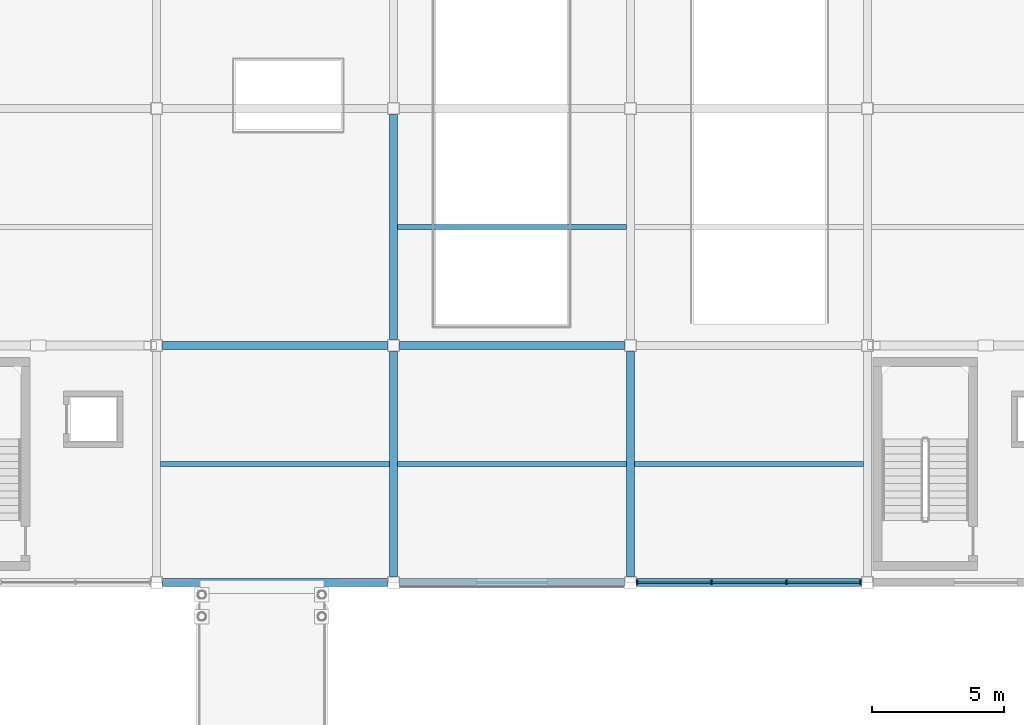
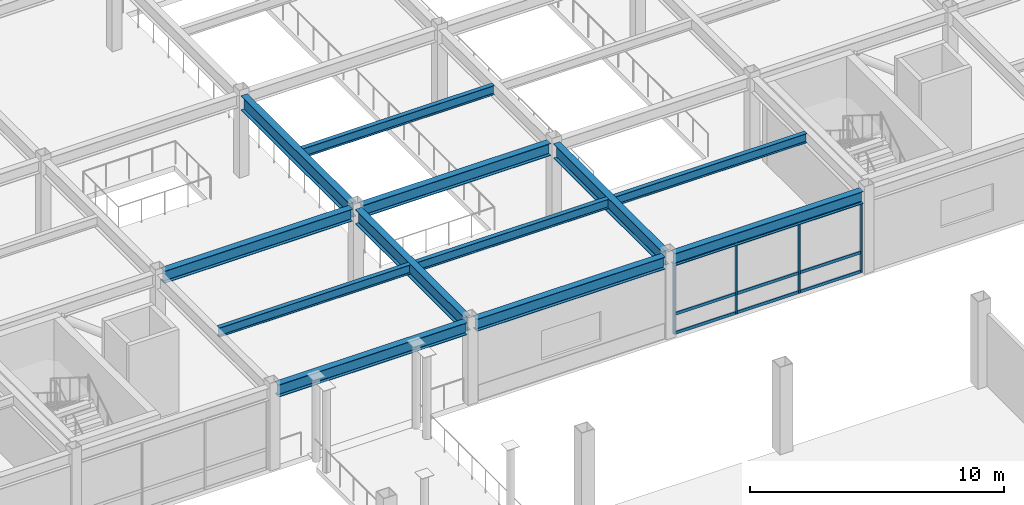
# One storey, part 40 of 105: 13 members, 12 beams, 1 element without a shape of its own.
"""IFC4 building model written with IfcOpenShell, lengths in metres."""

from ifc_helpers import new_model, si_unit, direction, frame, origin, origin_2d, place, context, subcontext, project, spatial, rectangle, i_section, extrude, material, material_profile, profile_set, type_object, element, aggregate, save


model = new_model("IFC4")

# Units and contexts
model_context = context("Model", 3, precision=1e-05, world=origin(), true_north=direction((0.0, 1.0)))
body_context = subcontext(model_context, "Body", "Model", "MODEL_VIEW")
ifc_project = project(units=[si_unit("LENGTHUNIT", "METRE"), si_unit("AREAUNIT", "SQUARE_METRE"), si_unit("VOLUMEUNIT", "CUBIC_METRE"), si_unit("PLANEANGLEUNIT", "RADIAN"), si_unit("MASSUNIT", "GRAM", prefix="KILO")], contexts=[model_context])

# Site, building, storey
site_placement = place(None, origin())
site = spatial("IfcSite", under=ifc_project, at=site_placement, CompositionType="ELEMENT")
building_placement = place(site_placement, origin())
building = spatial("IfcBuilding", under=site, at=building_placement, Name="Suzunagisa Mobility Hub", CompositionType="ELEMENT")
storey_placement = place(building_placement, frame((0.0, 0.0, 5.10009765625)))
storey = spatial("IfcBuildingStorey", under=building, at=storey_placement, Name="L01", CompositionType="ELEMENT", Elevation=5.10009765625)

# Curtain wall, members
ifc_material_1 = material(Name="Thermally Broken Anodized Aluminum and Low-E Glazing", Category="aluminium")
curtain_wall_type = type_object("IfcCurtainWallType", Name="Unitised Curtain Wall CW-29 8500x3400", PredefinedType="USERDEFINED", material=ifc_material_1)
curtain_wall_placement = place(storey_placement, origin())
curtain_wall = element("IfcCurtainWall", 1, at=curtain_wall_placement, inside=storey, type_object=curtain_wall_type, Name="L01 Unitised Curtain Wall CW-101", ObjectType="UNITISED CURTAIN WALL", PredefinedType="USERDEFINED")
ifc_material_2 = material(Name="Anodized Aluminum 6063-T6", Category="aluminium")
ifc_material_profile_1 = material_profile(ifc_material_2, rectangle(XDim=0.06494140625, YDim=0.139892578125, at=origin_2d()), Name="TRAN-65x140")
ifc_profile_set_1 = profile_set([ifc_material_profile_1], Name="Anodized Aluminum 6063-T6")
member_type_1 = type_object("IfcMemberType", Name="Curtain Wall Framing CM-01 TRAN-65x140", PredefinedType="USERDEFINED", material=ifc_profile_set_1)
member_1_placement = place(storey_placement, frame((81.282958984375, 80.0, 0.032470703125), z_axis=(1.0, 0.0, 0.0), x_axis=(0.0, 1.0, 0.0)))
member_1 = element("IfcMember", 2, at=member_1_placement, type_object=member_type_1, Name="Curtain Wall Transom 101-T1.1", ObjectType="TRANSOM", PredefinedType="USERDEFINED", context=body_context, shape_type="SweptSolid", body=[
    extrude(rectangle(XDim=0.06494140625, YDim=0.139892578125, at=origin_2d()), origin(), (0.0, 0.0, 1.0), 2.76416015625),
])
member_2_placement = place(storey_placement, frame((81.282958984375, 80.0, 0.949951171875), z_axis=(1.0, 0.0, 0.0), x_axis=(0.0, 1.0, 0.0)))
member_2 = element("IfcMember", 3, at=member_2_placement, type_object=member_type_1, Name="Curtain Wall Transom 101-T1.2", ObjectType="TRANSOM", PredefinedType="USERDEFINED", context=body_context, shape_type="SweptSolid", body=[
    extrude(rectangle(XDim=0.06494140625, YDim=0.139892578125, at=origin_2d()), origin(), (0.0, 0.0, 1.0), 2.76416015625),
])
member_3_placement = place(storey_placement, frame((81.282958984375, 80.0, 3.3193359375), z_axis=(1.0, 0.0, 0.0), x_axis=(0.0, 1.0, 0.0)))
member_3 = element("IfcMember", 4, at=member_3_placement, type_object=member_type_1, Name="Curtain Wall Transom 101-T1.3", ObjectType="TRANSOM", PredefinedType="USERDEFINED", context=body_context, shape_type="SweptSolid", body=[
    extrude(rectangle(XDim=0.06494140625, YDim=0.139892578125, at=origin_2d()), origin(), (0.0, 0.0, 1.0), 2.76416015625),
])
member_4_placement = place(storey_placement, frame((84.10302734375, 80.0, 0.032470703125), z_axis=(1.0, 0.0, 0.0), x_axis=(0.0, 1.0, 0.0)))
member_4 = element("IfcMember", 5, at=member_4_placement, type_object=member_type_1, Name="Curtain Wall Transom 101-T2.1", ObjectType="TRANSOM", PredefinedType="USERDEFINED", context=body_context, shape_type="SweptSolid", body=[
    extrude(rectangle(XDim=0.06494140625, YDim=0.139892578125, at=origin_2d()), origin(), (0.0, 0.0, 1.0), 2.7939453125),
])
member_5_placement = place(storey_placement, frame((84.10302734375, 80.0, 0.949951171875), z_axis=(1.0, 0.0, 0.0), x_axis=(0.0, 1.0, 0.0)))
member_5 = element("IfcMember", 6, at=member_5_placement, type_object=member_type_1, Name="Curtain Wall Transom 101-T2.2", ObjectType="TRANSOM", PredefinedType="USERDEFINED", context=body_context, shape_type="SweptSolid", body=[
    extrude(rectangle(XDim=0.06494140625, YDim=0.139892578125, at=origin_2d()), origin(), (0.0, 0.0, 1.0), 2.7939453125),
])
member_6_placement = place(storey_placement, frame((84.10302734375, 80.0, 3.3193359375), z_axis=(1.0, 0.0, 0.0), x_axis=(0.0, 1.0, 0.0)))
member_6 = element("IfcMember", 7, at=member_6_placement, type_object=member_type_1, Name="Curtain Wall Transom 101-T2.3", ObjectType="TRANSOM", PredefinedType="USERDEFINED", context=body_context, shape_type="SweptSolid", body=[
    extrude(rectangle(XDim=0.06494140625, YDim=0.139892578125, at=origin_2d()), origin(), (0.0, 0.0, 1.0), 2.7939453125),
])
member_7_placement = place(storey_placement, frame((86.952880859375, 80.0, 0.032470703125), z_axis=(1.0, 0.0, 0.0), x_axis=(0.0, 1.0, 0.0)))
member_7 = element("IfcMember", 8, at=member_7_placement, type_object=member_type_1, Name="Curtain Wall Transom 101-T3.1", ObjectType="TRANSOM", PredefinedType="USERDEFINED", context=body_context, shape_type="SweptSolid", body=[
    extrude(rectangle(XDim=0.06494140625, YDim=0.139892578125, at=origin_2d()), origin(), (0.0, 0.0, 1.0), 2.76416015625),
])
member_8_placement = place(storey_placement, frame((86.952880859375, 80.0, 0.949951171875), z_axis=(1.0, 0.0, 0.0), x_axis=(0.0, 1.0, 0.0)))
member_8 = element("IfcMember", 9, at=member_8_placement, type_object=member_type_1, Name="Curtain Wall Transom 101-T3.2", ObjectType="TRANSOM", PredefinedType="USERDEFINED", context=body_context, shape_type="SweptSolid", body=[
    extrude(rectangle(XDim=0.06494140625, YDim=0.139892578125, at=origin_2d()), origin(), (0.0, 0.0, 1.0), 2.76416015625),
])
member_9_placement = place(storey_placement, frame((86.952880859375, 80.0, 3.3193359375), z_axis=(1.0, 0.0, 0.0), x_axis=(0.0, 1.0, 0.0)))
member_9 = element("IfcMember", 10, at=member_9_placement, type_object=member_type_1, Name="Curtain Wall Transom 101-T3.3", ObjectType="TRANSOM", PredefinedType="USERDEFINED", context=body_context, shape_type="SweptSolid", body=[
    extrude(rectangle(XDim=0.06494140625, YDim=0.139892578125, at=origin_2d()), origin(), (0.0, 0.0, 1.0), 2.76416015625),
])
ifc_material_profile_2 = material_profile(ifc_material_2, rectangle(XDim=0.06005859375, YDim=0.14990234375, at=origin_2d()), Name="MULL-60x150")
ifc_profile_set_2 = profile_set([ifc_material_profile_2], Name="Anodized Aluminum 6063-T6")
member_type_2 = type_object("IfcMemberType", Name="Curtain Wall Framing CM-03 MULL-60x150", PredefinedType="MULLION", material=ifc_profile_set_2)
member_10_placement = place(storey_placement, frame((81.2548828125, 80.0, 0.0), z_axis=(0.0, 0.0, 1.0), x_axis=(1.0, 0.0, 0.0)))
member_10 = element("IfcMember", 11, at=member_10_placement, type_object=member_type_2, Name="Curtain Wall Mullion 101-M1", PredefinedType="MULLION", context=body_context, shape_type="SweptSolid", body=[
    extrude(rectangle(XDim=0.06005859375, YDim=0.14990234375, at=origin_2d()), origin(), (0.0, 0.0, 1.0), 3.351806640625),
])
member_11_placement = place(storey_placement, frame((84.074951171875, 80.0, 0.0), z_axis=(0.0, 0.0, 1.0), x_axis=(1.0, 0.0, 0.0)))
member_11 = element("IfcMember", 12, at=member_11_placement, type_object=member_type_2, Name="Curtain Wall Mullion 101-M2", PredefinedType="MULLION", context=body_context, shape_type="SweptSolid", body=[
    extrude(rectangle(XDim=0.06005859375, YDim=0.14990234375, at=origin_2d()), origin(), (0.0, 0.0, 1.0), 3.351806640625),
])
member_12_placement = place(storey_placement, frame((86.925048828125, 80.0, 0.0), z_axis=(0.0, 0.0, 1.0), x_axis=(1.0, 0.0, 0.0)))
member_12 = element("IfcMember", 13, at=member_12_placement, type_object=member_type_2, Name="Curtain Wall Mullion 101-M3", PredefinedType="MULLION", context=body_context, shape_type="SweptSolid", body=[
    extrude(rectangle(XDim=0.06005859375, YDim=0.14990234375, at=origin_2d()), origin(), (0.0, 0.0, 1.0), 3.351806640625),
])
member_13_placement = place(storey_placement, frame((89.7451171875, 80.0, 0.0), z_axis=(0.0, 0.0, 1.0), x_axis=(1.0, 0.0, 0.0)))
member_13 = element("IfcMember", 14, at=member_13_placement, type_object=member_type_2, Name="Curtain Wall Mullion 101-M4", PredefinedType="MULLION", context=body_context, shape_type="SweptSolid", body=[
    extrude(rectangle(XDim=0.06005859375, YDim=0.14990234375, at=origin_2d()), origin(), (0.0, 0.0, 1.0), 3.351806640625),
])
aggregate(curtain_wall, [member_10, member_11, member_12, member_13, member_1, member_2, member_3, member_4, member_5, member_6, member_7, member_8, member_9])

# Beams
ifc_material_3 = material(Name="Steel SN400B", Category="steel")
ifc_material_profile_3 = material_profile(ifc_material_3, i_section(OverallWidth=0.199951171875, OverallDepth=0.449951171875, WebThickness=0.009033203125, FlangeThickness=0.013916015625, FilletRadius=0.012939453125, at=origin_2d()), Name="H-450x200x9x14")
ifc_profile_set_3 = profile_set([ifc_material_profile_3], Name="Steel SN400B")
beam_type_1 = type_object("IfcBeamType", Name="Steel Beam BM-05 H-450x200x9x14", PredefinedType="JOIST", material=ifc_profile_set_3)
for number, where, z_axis, x_axis, name in (
    (15, (63.14990234375, 84.5, 3.71484375), (1.0, 0.0, 0.0), (0.0, 1.0, 0.0), "L01 Composite Floor Joist J-893"),
    (16, (72.14990234375, 84.5, 3.71484375), (1.0, 0.0, 0.0), (0.0, 1.0, 0.0), "L01 Composite Floor Joist J-895"),
    (17, (72.14990234375, 93.5, 3.71484375), (1.0, 0.0, 0.0), (0.0, 1.0, 0.0), "L01 Composite Floor Joist J-896"),
    (18, (81.14990234375, 84.5, 3.71484375), (1.0, 0.0, 0.0), (0.0, 1.0, 0.0), "L01 Composite Floor Joist J-899"),
):
    element("IfcBeam", number, at=place(storey_placement, frame(where, z_axis=z_axis, x_axis=x_axis)), inside=storey, type_object=beam_type_1, Name=name, PredefinedType="JOIST", context=body_context, shape_type="SweptSolid", body=[
        extrude(i_section(OverallWidth=0.199951171875, OverallDepth=0.449951171875, WebThickness=0.009033203125, FlangeThickness=0.013916015625, FilletRadius=0.012939453125, at=origin_2d()), origin(), (0.0, 0.0, 1.0), 8.7001953125),
    ])
ifc_material_4 = material(Name="Steel SN490B", Category="steel")
ifc_material_profile_4 = material_profile(ifc_material_4, i_section(OverallWidth=0.300048828125, OverallDepth=0.699951171875, WebThickness=0.012939453125, FlangeThickness=0.02392578125, FilletRadius=0.01806640625, at=origin_2d()), Name="H-700x300x13x24")
ifc_profile_set_4 = profile_set([ifc_material_profile_4], Name="Steel SN490B")
beam_type_2 = type_object("IfcBeamType", Name="Steel Beam BM-11 H-700x300x13x24", PredefinedType="BEAM", material=ifc_profile_set_4)
for number, where, z_axis, x_axis, name in (
    (19, (72.0, 80.220947265625, 3.58984375), (0.0, 1.0, 0.0), (-1.0, 0.0, 0.0), "L01 Primary Girder GY-858"),
    (20, (72.0, 89.220947265625, 3.58984375), (0.0, 1.0, 0.0), (-1.0, 0.0, 0.0), "L01 Primary Girder GY-859"),
    (21, (81.0, 80.220947265625, 3.58984375), (0.0, 1.0, 0.0), (-1.0, 0.0, 0.0), "L01 Primary Girder GY-862"),
):
    element("IfcBeam", number, at=place(storey_placement, frame(where, z_axis=z_axis, x_axis=x_axis)), inside=storey, type_object=beam_type_2, Name=name, PredefinedType="BEAM", context=body_context, shape_type="SweptSolid", body=[
        extrude(i_section(OverallWidth=0.300048828125, OverallDepth=0.699951171875, WebThickness=0.012939453125, FlangeThickness=0.02392578125, FilletRadius=0.01806640625, at=origin_2d()), origin(), (0.0, 0.0, 1.0), 8.55810546875),
    ])
ifc_material_profile_5 = material_profile(ifc_material_4, i_section(OverallWidth=0.300048828125, OverallDepth=0.587890625, WebThickness=0.011962890625, FlangeThickness=0.02001953125, FilletRadius=0.012939453125, at=origin_2d()), Name="H-588x300x12x20")
ifc_profile_set_5 = profile_set([ifc_material_profile_5], Name="Steel SN490B")
beam_type_3 = type_object("IfcBeamType", Name="Steel Beam BM-16 H-588x300x12x20", PredefinedType="BEAM", material=ifc_profile_set_5)
for number, where, z_axis, x_axis, name in (
    (22, (63.220947265625, 80.0, 3.64599609375), (1.0, 0.0, 0.0), (0.0, 1.0, 0.0), "L01 Primary Girder GX-804"),
    (23, (72.220947265625, 80.0, 3.64599609375), (1.0, 0.0, 0.0), (0.0, 1.0, 0.0), "L01 Primary Girder GX-805"),
    (24, (81.220947265625, 80.0, 3.64599609375), (1.0, 0.0, 0.0), (0.0, 1.0, 0.0), "L01 Primary Girder GX-806"),
    (25, (63.220947265625, 89.0, 3.64599609375), (1.0, 0.0, 0.0), (0.0, 1.0, 0.0), "L01 Primary Girder GX-813"),
    (26, (72.220947265625, 89.0, 3.64599609375), (1.0, 0.0, 0.0), (0.0, 1.0, 0.0), "L01 Primary Girder GX-814"),
):
    element("IfcBeam", number, at=place(storey_placement, frame(where, z_axis=z_axis, x_axis=x_axis)), inside=storey, type_object=beam_type_3, Name=name, PredefinedType="BEAM", context=body_context, shape_type="SweptSolid", body=[
        extrude(i_section(OverallWidth=0.300048828125, OverallDepth=0.587890625, WebThickness=0.011962890625, FlangeThickness=0.02001953125, FilletRadius=0.012939453125, at=origin_2d()), origin(), (0.0, 0.0, 1.0), 8.55810546875),
    ])

save(model, "model.ifc")
